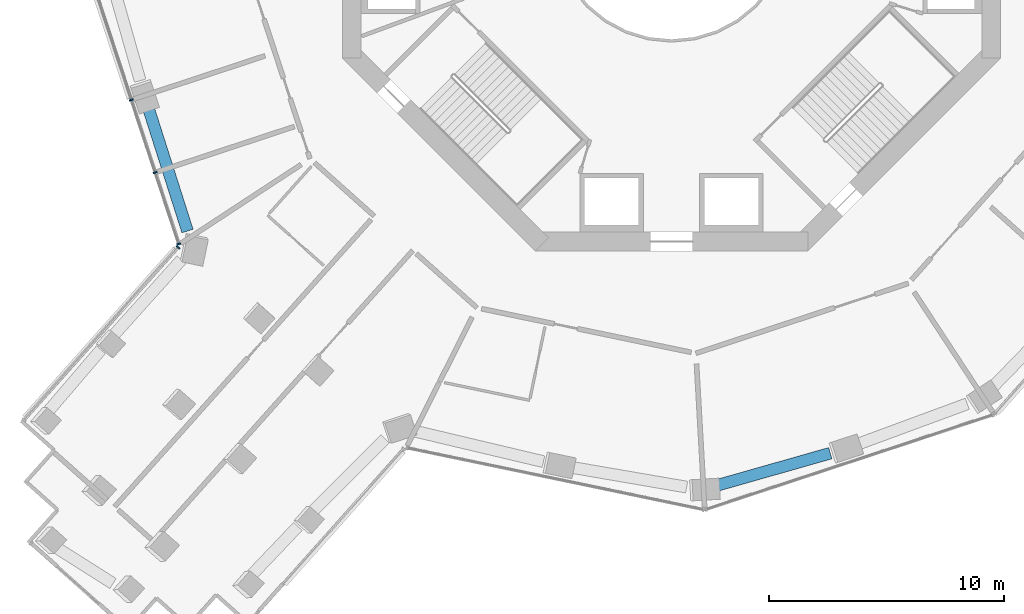
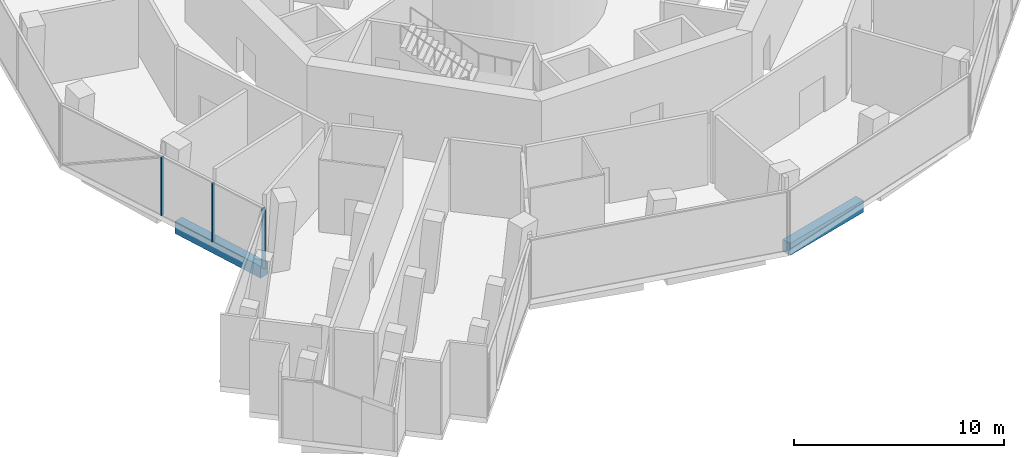
# One storey, part 3 of 21: 4 members, 2 beams, 2 elements without a shape of their own.
"""IFC4 building model written with IfcOpenShell, lengths in metres."""

from ifc_helpers import new_model, si_unit, direction, frame, origin, origin_2d, place, context, subcontext, project, spatial, rectangle, extrude, material, layer, layer_set, material_profile, profile_set, type_object, element, aggregate, save


model = new_model("IFC4")

# Units and contexts
model_context = context("Model", 3, precision=1e-05, world=origin(), true_north=direction((0.0, 1.0)))
body_context = subcontext(model_context, "Body", "Model", "MODEL_VIEW")
ifc_project = project(units=[si_unit("LENGTHUNIT", "METRE"), si_unit("AREAUNIT", "SQUARE_METRE"), si_unit("VOLUMEUNIT", "CUBIC_METRE"), si_unit("PLANEANGLEUNIT", "RADIAN"), si_unit("MASSUNIT", "GRAM", prefix="KILO")], contexts=[model_context])

# Site, building, storey
site_placement = place(None, origin())
site = spatial("IfcSite", under=ifc_project, at=site_placement, CompositionType="ELEMENT")
building_placement = place(site_placement, origin())
building = spatial("IfcBuilding", under=site, at=building_placement, Name="Verdalira Terraces Hotel", CompositionType="ELEMENT")
storey_placement = place(building_placement, frame((0.0, 0.0, 107.0)))
storey = spatial("IfcBuildingStorey", under=building, at=storey_placement, Name="L25", CompositionType="ELEMENT", Elevation=107.0)

# Curtain wall, members
ifc_material_1 = material(Name="Clear glass", Category="glass")
ifc_layer = layer(ifc_material_1, 0.179931640625)
ifc_layer_set = layer_set([ifc_layer], Name="CW4 curtain wall")
curtain_wall_type = type_object("IfcCurtainWallType", Name="CW4 curtain wall", PredefinedType="NOTDEFINED", material=ifc_layer_set)
curtain_wall_1_placement = place(storey_placement, origin())
curtain_wall_1 = element("IfcCurtainWall", 1, at=curtain_wall_1_placement, inside=storey, type_object=curtain_wall_type, Name="CW4 curtain wall L25 edge 13", PredefinedType="NOTDEFINED")
ifc_material_2 = material(Name="Terracotta frame", Category="masonry")
ifc_material_profile_1 = material_profile(ifc_material_2, rectangle(XDim=0.064941, YDim=0.179932, at=origin_2d()), Name="MU 65x180")
ifc_profile_set_1 = profile_set([ifc_material_profile_1], Name="Terracotta frame")
member_type = type_object("IfcMemberType", Name="CW4 mullion 65x180", PredefinedType="MULLION", material=ifc_profile_set_1)
member_1_placement = place(storey_placement, frame((-22.982422, -7.573975, 0.0), z_axis=(0.0, 0.0, 1.0), x_axis=(0.312998048, -0.949753769, 0.0)))
member_1 = element("IfcMember", 2, at=member_1_placement, type_object=member_type, Name="CW4 mullion", PredefinedType="MULLION", context=body_context, shape_type="SweptSolid", body=[
    extrude(rectangle(XDim=0.064941, YDim=0.179932, at=origin_2d()), origin(), (0.0, 0.0, 1.0), 3.419922),
])
member_2_placement = place(storey_placement, frame((-21.965332, -10.660645, 0.0), z_axis=(0.0, 0.0, 1.0), x_axis=(0.312998048, -0.949753769, 0.0)))
member_2 = element("IfcMember", 3, at=member_2_placement, type_object=member_type, Name="CW4 mullion", PredefinedType="MULLION", context=body_context, shape_type="SweptSolid", body=[
    extrude(rectangle(XDim=0.064941, YDim=0.179932, at=origin_2d()), origin(), (0.0, 0.0, 1.0), 3.419922),
])
member_3_placement = place(storey_placement, frame((-20.963623, -13.700195, 0.0), z_axis=(0.0, 0.0, 1.0), x_axis=(0.312998048, -0.949753769, 0.0)))
member_3 = element("IfcMember", 4, at=member_3_placement, type_object=member_type, Name="CW4 mullion", PredefinedType="MULLION", context=body_context, shape_type="SweptSolid", body=[
    extrude(rectangle(XDim=0.064941, YDim=0.179932, at=origin_2d()), origin(), (0.0, 0.0, 1.0), 3.419922),
])
aggregate(curtain_wall_1, [member_1, member_2, member_3])

# Curtain wall, member
curtain_wall_2_placement = place(storey_placement, origin())
curtain_wall_2 = element("IfcCurtainWall", 5, at=curtain_wall_2_placement, inside=storey, type_object=curtain_wall_type, Name="CW4 curtain wall L25 edge 14", PredefinedType="NOTDEFINED")
member_4_placement = place(storey_placement, frame((-20.993408, -13.843262, 0.0), z_axis=(0.0, 0.0, 1.0), x_axis=(-0.666011867, -0.745941145, 0.0)))
member_4 = element("IfcMember", 6, at=member_4_placement, type_object=member_type, Name="CW4 mullion", PredefinedType="MULLION", context=body_context, shape_type="SweptSolid", body=[
    extrude(rectangle(XDim=0.064941, YDim=0.179932, at=origin_2d()), origin(), (0.0, 0.0, 1.0), 3.419922),
])
aggregate(curtain_wall_2, [member_4])

# Beams
ifc_material_3 = material(Name="Concrete C70", Category="concrete")
ifc_material_profile_2 = material_profile(ifc_material_3, rectangle(XDim=0.5, YDim=0.699951, at=origin_2d()), Name="RC 500X700")
ifc_profile_set_2 = profile_set([ifc_material_profile_2], Name="Concrete C70")
beam_type = type_object("IfcBeamType", Name="Spandrel beam RC 500X700 C70", PredefinedType="SPANDREL", material=ifc_profile_set_2)
beam_1_placement = place(storey_placement, frame((-22.269775, -7.868896, -0.659912), z_axis=(0.303041916, -0.952977228, 0.0), x_axis=(0.952977228, 0.303041916, 0.0)))
element("IfcBeam", 7, at=beam_1_placement, inside=storey, type_object=beam_type, Name="Spandrel beam B09", PredefinedType="SPANDREL", context=body_context, shape_type="SweptSolid", body=[
    extrude(rectangle(XDim=0.5, YDim=0.699951, at=origin_2d()), origin(), (0.0, 0.0, 1.0), 5.545166),
])
beam_2_placement = place(storey_placement, frame((1.93042, -23.976074, -0.659912), z_axis=(0.961905105, 0.273383556, 0.0), x_axis=(-0.273383556, 0.961905105, 0.0)))
element("IfcBeam", 8, at=beam_2_placement, inside=storey, type_object=beam_type, Name="Spandrel beam B17", PredefinedType="SPANDREL", context=body_context, shape_type="SweptSolid", body=[
    extrude(rectangle(XDim=0.5, YDim=0.699951, at=origin_2d()), origin(), (0.0, 0.0, 1.0), 5.015381),
])

save(model, "model.ifc")
